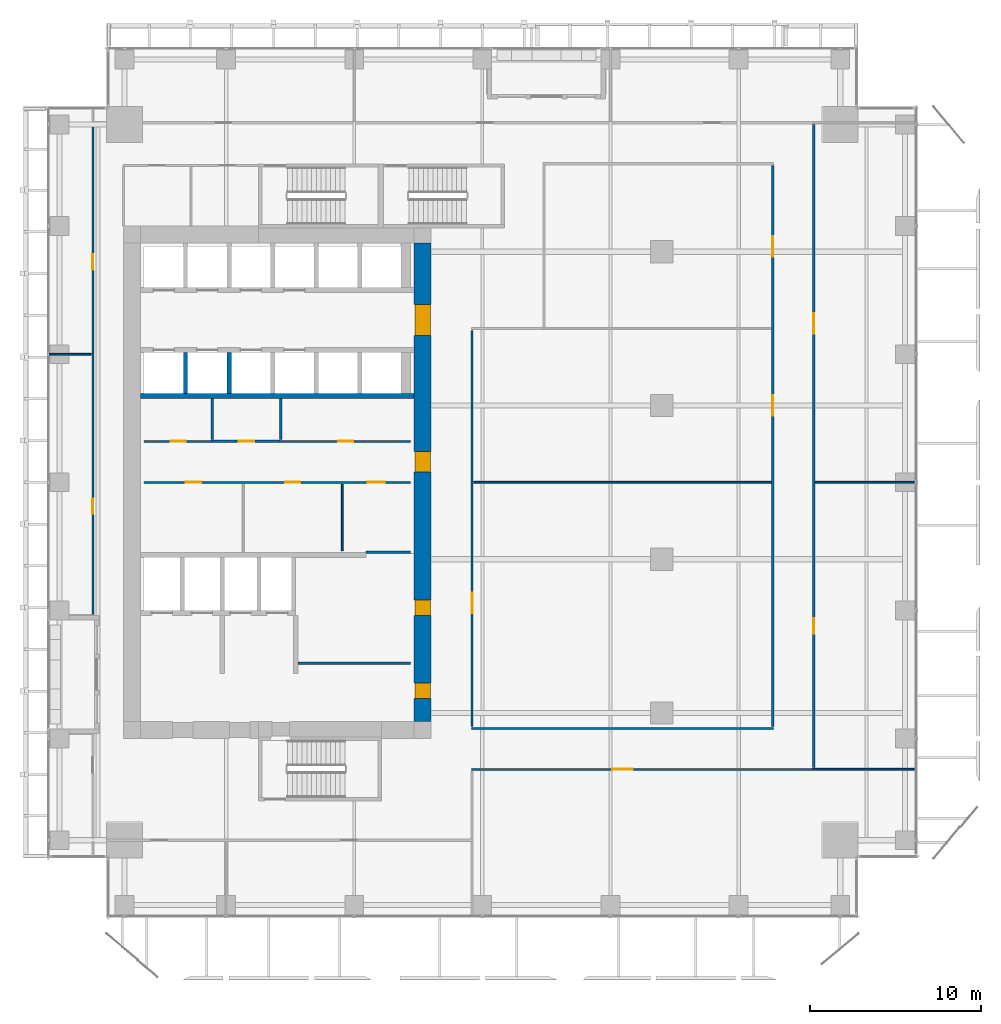
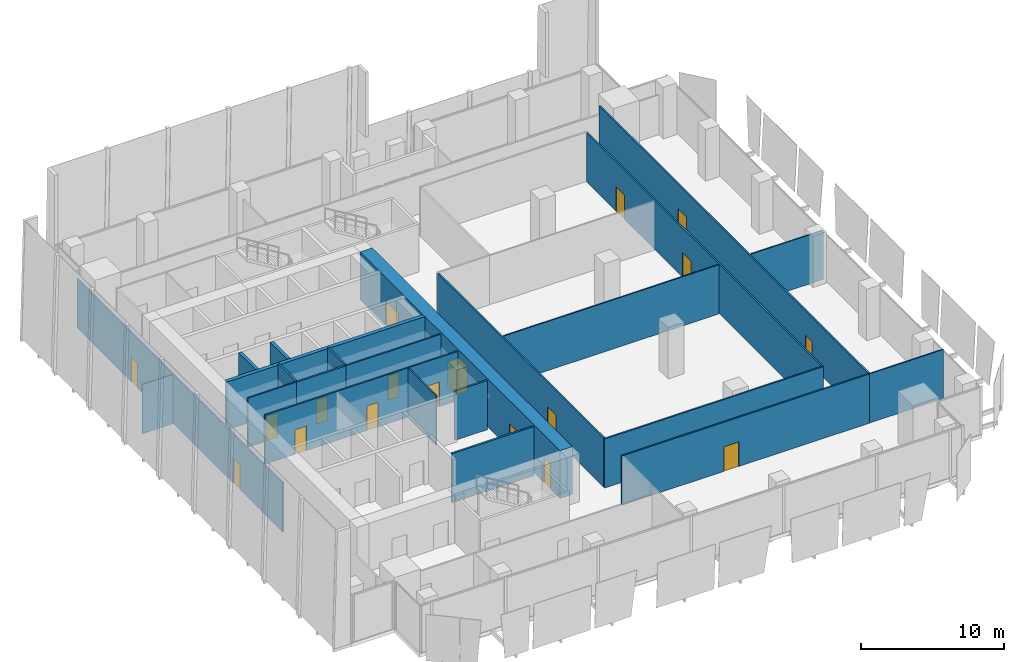
# One storey, part 29 of 34: 23 walls, 18 doors, 18 openings.
"""IFC4 building model written with IfcOpenShell, lengths in metres."""

from ifc_helpers import new_model, si_unit, direction, frame, frame_2d, origin, place, context, subcontext, project, spatial, rectangle, extrude, source, transform, mapped, material, layer, layer_set, type_object, element, fill, save


model = new_model("IFC4")

# Units and contexts
model_context = context("Model", 3, precision=1e-05, world=origin(), true_north=direction((0.0, 1.0)))
body_context = subcontext(model_context, "Body", "Model", "MODEL_VIEW")
ifc_project = project(units=[si_unit("LENGTHUNIT", "METRE"), si_unit("AREAUNIT", "SQUARE_METRE"), si_unit("VOLUMEUNIT", "CUBIC_METRE"), si_unit("PLANEANGLEUNIT", "RADIAN"), si_unit("MASSUNIT", "GRAM", prefix="KILO")], contexts=[model_context])

# Site, building, storey
site_placement = place(None, origin())
site = spatial("IfcSite", under=ifc_project, at=site_placement, CompositionType="ELEMENT")
building_placement = place(site_placement, origin())
building = spatial("IfcBuilding", under=site, at=building_placement, Name="Khomas Fold Tower", CompositionType="ELEMENT")
storey_placement = place(building_placement, frame((0.0, 0.0, 154.300048828125)))
storey = spatial("IfcBuildingStorey", under=building, at=storey_placement, Name="L33", CompositionType="ELEMENT", Elevation=154.300048828125)

# Wall, openings, doors
ifc_material_1 = material(Name="Concrete C70/85", Category="concrete")
ifc_layer_1 = layer(ifc_material_1, 1.0)
ifc_layer_set_1 = layer_set([ifc_layer_1], Name="Concrete C70/85")
wall_type_1 = type_object("IfcWallType", Name="Core wall 1000", PredefinedType="SHEAR", material=ifc_layer_set_1)
shared_shape_1 = source(origin(), body_context, "Body", "SweptSolid", [
    extrude(rectangle(XDim=28.0, YDim=1.0, at=frame_2d((14.0, 0.0))), origin(), (0.0, 0.0, 1.0), 4.099853515625),
])
wall_1_placement = place(storey_placement, frame((23.5, 13.0, 0.0), z_axis=(0.0, 0.0, 1.0), x_axis=(0.0, 1.0, 0.0)))
wall_1 = element("IfcWall", 1, at=wall_1_placement, inside=storey, type_object=wall_type_1, Name="Core wall CW-L-E-L21", PredefinedType="SHEAR", context=body_context, shape_type="MappedRepresentation", body=[
    mapped(shared_shape_1, transform((0.0, 0.0, 0.0))),
])
shared_shape_2 = source(origin(), body_context, "Body", "SweptSolid", [
    extrude(rectangle(XDim=1.800048828125, YDim=2.10009765625, at=frame_2d((0.89990234375, 1.050048828125))), frame((0.0, 0.510009765625, 0.0), z_axis=(0.0, -1.0, 0.0), x_axis=(1.0, 0.0, 0.0)), (0.0, 0.0, 1.0), 1.02001953125),
])
opening_1_placement = place(wall_1_placement, frame((22.60009765625, 0.0, 0.0)))
opening_1 = element("IfcOpeningElement", 2, at=opening_1_placement, cuts=wall_1, Name="Opening 0015", PredefinedType="OPENING", context=body_context, shape_type="MappedRepresentation", body=[
    mapped(shared_shape_2, transform((0.0, 0.0, 0.0))),
])
shared_shape_3 = source(origin(), body_context, "Body", "SweptSolid", [
    extrude(rectangle(XDim=1.199951171875, YDim=2.10009765625, at=frame_2d((0.60009765625, 1.050048828125))), frame((0.0, 0.510009765625, 0.0), z_axis=(0.0, -1.0, 0.0), x_axis=(1.0, 0.0, 0.0)), (0.0, 0.0, 1.0), 1.02001953125),
])
opening_2_placement = place(wall_1_placement, frame((14.60009765625, 0.0, 0.0)))
opening_2 = element("IfcOpeningElement", 3, at=opening_2_placement, cuts=wall_1, Name="Opening 0001", PredefinedType="OPENING", context=body_context, shape_type="MappedRepresentation", body=[
    mapped(shared_shape_3, transform((0.0, 0.0, 0.0))),
])
shared_shape_4 = source(origin(), body_context, "Body", "SweptSolid", [
    extrude(rectangle(XDim=0.89990234375, YDim=2.10009765625, at=frame_2d((0.449951171875, 1.050048828125))), frame((0.0, 0.510009765625, 0.0), z_axis=(0.0, -1.0, 0.0), x_axis=(1.0, 0.0, 0.0)), (0.0, 0.0, 1.0), 1.02001953125),
])
opening_3_placement = place(wall_1_placement, frame((1.35009765625, 0.0, 0.0)))
opening_3 = element("IfcOpeningElement", 4, at=opening_3_placement, cuts=wall_1, Name="Opening 0008", PredefinedType="OPENING", context=body_context, shape_type="MappedRepresentation", body=[
    mapped(shared_shape_4, transform((0.0, 0.0, 0.0))),
])
opening_4_placement = place(wall_1_placement, frame((6.199951171875, 0.0, 0.0)))
opening_4 = element("IfcOpeningElement", 5, at=opening_4_placement, cuts=wall_1, Name="Opening 0003", PredefinedType="OPENING", context=body_context, shape_type="MappedRepresentation", body=[
    mapped(shared_shape_4, transform((0.0, 0.0, 0.0))),
])
ifc_material_2 = material(Name="Steel door leaf", Category="steel")
door_type_1 = type_object("IfcDoorType", Name="Lobby door 1800x2100", OperationType="DOUBLE_DOOR_SINGLE_SWING", PredefinedType="DOOR", material=ifc_material_2)
shared_shape_5 = source(origin(), body_context, "Body", "SweptSolid", [
    extrude(rectangle(XDim=1.800048828125, YDim=2.10009765625, at=frame_2d((0.89990234375, 1.050048828125))), frame((0.0, 0.449951171875, 0.0), z_axis=(0.0, -1.0, 0.0), x_axis=(1.0, 0.0, 0.0)), (0.0, 0.0, 1.0), 0.89990234375),
])
door_1_placement = place(opening_1_placement, origin())
door_1 = element("IfcDoor", 6, at=door_1_placement, inside=storey, type_object=door_type_1, Name="Lobby door", OperationType="DOUBLE_DOOR_SINGLE_SWING", OverallHeight=2.10009765625, OverallWidth=1.800048828125, PredefinedType="DOOR", context=body_context, shape_type="MappedRepresentation", body=[
    mapped(shared_shape_5, transform((0.0, 0.0, 0.0))),
])
fill(opening_1, door_1)
ifc_material_3 = material(Name="Timber door leaf", Category="wood")
door_type_2 = type_object("IfcDoorType", Name="Door 1200x2100 right-hand", OperationType="SINGLE_SWING_RIGHT", PredefinedType="DOOR", material=ifc_material_3)
shared_shape_6 = source(origin(), body_context, "Body", "SweptSolid", [
    extrude(rectangle(XDim=1.199951171875, YDim=2.10009765625, at=frame_2d((0.60009765625, 1.050048828125))), frame((0.0, 0.449951171875, 0.0), z_axis=(0.0, -1.0, 0.0), x_axis=(1.0, 0.0, 0.0)), (0.0, 0.0, 1.0), 0.89990234375),
])
door_2_placement = place(opening_2_placement, origin())
door_2 = element("IfcDoor", 7, at=door_2_placement, inside=storey, type_object=door_type_2, Name="Door", OperationType="SINGLE_SWING_RIGHT", OverallHeight=2.10009765625, OverallWidth=1.199951171875, PredefinedType="DOOR", context=body_context, shape_type="MappedRepresentation", body=[
    mapped(shared_shape_6, transform((0.0, 0.0, 0.0))),
])
fill(opening_2, door_2)
ifc_material_4 = material(Name="Timber door leaf", Category="wood")
door_type_3 = type_object("IfcDoorType", Name="Door 900x2100 right-hand", OperationType="SINGLE_SWING_RIGHT", PredefinedType="DOOR", material=ifc_material_4)
shared_shape_7 = source(origin(), body_context, "Body", "SweptSolid", [
    extrude(rectangle(XDim=0.89990234375, YDim=2.10009765625, at=frame_2d((0.449951171875, 1.050048828125))), frame((0.0, 0.449951171875, 0.0), z_axis=(0.0, -1.0, 0.0), x_axis=(1.0, 0.0, 0.0)), (0.0, 0.0, 1.0), 0.89990234375),
])
door_3_placement = place(opening_3_placement, origin())
door_3 = element("IfcDoor", 8, at=door_3_placement, inside=storey, type_object=door_type_3, Name="Door", OperationType="SINGLE_SWING_RIGHT", OverallHeight=2.10009765625, OverallWidth=0.89990234375, PredefinedType="DOOR", context=body_context, shape_type="MappedRepresentation", body=[
    mapped(shared_shape_7, transform((0.0, 0.0, 0.0))),
])
fill(opening_3, door_3)
ifc_material_5 = material(Name="Steel door leaf", Category="steel")
door_type_4 = type_object("IfcDoorType", Name="Plant room door 900x2100 right-hand", OperationType="SINGLE_SWING_RIGHT", PredefinedType="DOOR", material=ifc_material_5)
door_4_placement = place(opening_4_placement, origin())
door_4 = element("IfcDoor", 9, at=door_4_placement, inside=storey, type_object=door_type_4, Name="Plant room door", OperationType="SINGLE_SWING_RIGHT", OverallHeight=2.10009765625, OverallWidth=0.89990234375, PredefinedType="DOOR", context=body_context, shape_type="MappedRepresentation", body=[
    mapped(shared_shape_7, transform((0.0, 0.0, 0.0))),
])
fill(opening_4, door_4)

# Walls
ifc_material_6 = material(Name="Concrete C50/60", Category="concrete")
ifc_layer_2 = layer(ifc_material_6, 0.300048828125)
ifc_layer_set_2 = layer_set([ifc_layer_2], Name="Concrete C50/60")
wall_type_2 = type_object("IfcWallType", Name="Shaft wall 300", PredefinedType="STANDARD", material=ifc_layer_set_2)
shared_shape_8 = source(origin(), body_context, "Body", "SweptSolid", [
    extrude(rectangle(XDim=16.0, YDim=0.300048828125, at=frame_2d((8.0, 0.0))), origin(), (0.0, 0.0, 1.0), 4.099853515625),
])
wall_2_placement = place(storey_placement, frame((7.0, 32.050048828125, 0.0), z_axis=(0.0, 0.0, 1.0), x_axis=(1.0, 0.0, 0.0)))
element("IfcWall", 10, at=wall_2_placement, inside=storey, type_object=wall_type_2, Name="Core wall SW-HRN-B", PredefinedType="STANDARD", context=body_context, shape_type="MappedRepresentation", body=[
    mapped(shared_shape_8, transform((0.0, 0.0, 0.0))),
])
ifc_material_7 = material(Name="Concrete C50/60", Category="concrete")
ifc_layer_3 = layer(ifc_material_7, 0.25)
ifc_layer_set_3 = layer_set([ifc_layer_3], Name="Concrete C50/60")
wall_type_3 = type_object("IfcWallType", Name="Shaft wall 250", PredefinedType="STANDARD", material=ifc_layer_set_3)
shared_shape_9 = source(origin(), body_context, "Body", "SweptSolid", [
    extrude(rectangle(XDim=2.400146484375, YDim=0.25, at=frame_2d((1.2001953125, 0.0))), origin(), (0.0, 0.0, 1.0), 4.099853515625),
])
for number, where, z_axis, x_axis, name in (
    (11, (9.625, 32.199951171875, 0.0), (0.0, 0.0, 1.0), (0.0, 1.0, 0.0), "Core wall SW-LRS-P1"),
    (12, (12.175048828125, 32.199951171875, 0.0), (0.0, 0.0, 1.0), (0.0, 1.0, 0.0), "Core wall SW-LRS-P2"),
):
    element("IfcWall", number, at=place(storey_placement, frame(where, z_axis=z_axis, x_axis=x_axis)), inside=storey, type_object=wall_type_3, Name=name, PredefinedType="STANDARD", context=body_context, shape_type="MappedRepresentation", body=[
        mapped(shared_shape_9, transform((0.0, 0.0, 0.0))),
    ])

# Wall, openings, doors
ifc_material_8 = material(Name="Plasterboard partition")
ifc_layer_4 = layer(ifc_material_8, 0.125)
ifc_layer_set_4 = layer_set([ifc_layer_4], Name="Plasterboard partition")
wall_type_4 = type_object("IfcWallType", Name="Partition PW2 125", PredefinedType="PARTITIONING", material=ifc_layer_set_4)
shared_shape_10 = source(origin(), body_context, "Body", "SweptSolid", [
    extrude(rectangle(XDim=15.60009765625, YDim=0.125, at=frame_2d((7.800048828125, 0.0))), origin(), (0.0, 0.0, 1.0), 4.199951171875),
])
wall_3_placement = place(storey_placement, frame((7.199951171875, 27.0, 0.0), z_axis=(0.0, 0.0, 1.0), x_axis=(1.0, 0.0, 0.0)))
wall_3 = element("IfcWall", 13, at=wall_3_placement, inside=storey, type_object=wall_type_4, Name="Partition", PredefinedType="PARTITIONING", context=body_context, shape_type="MappedRepresentation", body=[
    mapped(shared_shape_10, transform((0.0, 0.0, 0.0))),
])
shared_shape_11 = source(origin(), body_context, "Body", "SweptSolid", [
    extrude(rectangle(XDim=0.89990234375, YDim=2.10009765625, at=frame_2d((0.449951171875, 1.050048828125))), frame((0.0, 0.072509765625, 0.0), z_axis=(0.0, -1.0, 0.0), x_axis=(1.0, 0.0, 0.0)), (0.0, 0.0, 1.0), 0.14501953125),
])
opening_5_placement = place(wall_3_placement, frame((2.449951171875, 0.0, 0.0)))
opening_5 = element("IfcOpeningElement", 14, at=opening_5_placement, cuts=wall_3, Name="Opening 0005", PredefinedType="OPENING", context=body_context, shape_type="MappedRepresentation", body=[
    mapped(shared_shape_11, transform((0.0, 0.0, 0.0))),
])
opening_6_placement = place(wall_3_placement, frame((8.25, 0.0, 0.0)))
opening_6 = element("IfcOpeningElement", 15, at=opening_6_placement, cuts=wall_3, Name="Opening 0004", PredefinedType="OPENING", context=body_context, shape_type="MappedRepresentation", body=[
    mapped(shared_shape_11, transform((0.0, 0.0, 0.0))),
])
shared_shape_12 = source(origin(), body_context, "Body", "SweptSolid", [
    extrude(rectangle(XDim=1.0, YDim=2.10009765625, at=frame_2d((0.5, 1.050048828125))), frame((0.0, 0.072509765625, 0.0), z_axis=(0.0, -1.0, 0.0), x_axis=(1.0, 0.0, 0.0)), (0.0, 0.0, 1.0), 0.14501953125),
])
opening_7_placement = place(wall_3_placement, frame((13.10009765625, 0.0, 0.0)))
opening_7 = element("IfcOpeningElement", 16, at=opening_7_placement, cuts=wall_3, Name="Opening 0014", PredefinedType="OPENING", context=body_context, shape_type="MappedRepresentation", body=[
    mapped(shared_shape_12, transform((0.0, 0.0, 0.0))),
])
ifc_material_9 = material(Name="Timber door leaf", Category="wood")
door_type_5 = type_object("IfcDoorType", Name="WC door 900x2100 left-hand", OperationType="SINGLE_SWING_LEFT", PredefinedType="DOOR", material=ifc_material_9)
shared_shape_13 = source(origin(), body_context, "Body", "SweptSolid", [
    extrude(rectangle(XDim=0.89990234375, YDim=2.10009765625, at=frame_2d((0.449951171875, 1.050048828125))), frame((0.0, 0.02490234375, 0.0), z_axis=(0.0, -1.0, 0.0), x_axis=(1.0, 0.0, 0.0)), (0.0, 0.0, 1.0), 0.050048828125),
])
door_5_placement = place(opening_5_placement, origin())
door_5 = element("IfcDoor", 17, at=door_5_placement, inside=storey, type_object=door_type_5, Name="WC door", OperationType="SINGLE_SWING_LEFT", OverallHeight=2.10009765625, OverallWidth=0.89990234375, PredefinedType="DOOR", context=body_context, shape_type="MappedRepresentation", body=[
    mapped(shared_shape_13, transform((0.0, 0.0, 0.0))),
])
fill(opening_5, door_5)
ifc_material_10 = material(Name="Timber door leaf", Category="wood")
door_type_6 = type_object("IfcDoorType", Name="WC door 900x2100 right-hand", OperationType="SINGLE_SWING_RIGHT", PredefinedType="DOOR", material=ifc_material_10)
door_6_placement = place(opening_6_placement, origin())
door_6 = element("IfcDoor", 18, at=door_6_placement, inside=storey, type_object=door_type_6, Name="WC door", OperationType="SINGLE_SWING_RIGHT", OverallHeight=2.10009765625, OverallWidth=0.89990234375, PredefinedType="DOOR", context=body_context, shape_type="MappedRepresentation", body=[
    mapped(shared_shape_13, transform((0.0, 0.0, 0.0))),
])
fill(opening_6, door_6)
ifc_material_11 = material(Name="Timber door leaf", Category="wood")
door_type_7 = type_object("IfcDoorType", Name="WC door 1000x2100 left-hand", OperationType="SINGLE_SWING_LEFT", PredefinedType="DOOR", material=ifc_material_11)
shared_shape_14 = source(origin(), body_context, "Body", "SweptSolid", [
    extrude(rectangle(XDim=1.0, YDim=2.10009765625, at=frame_2d((0.5, 1.050048828125))), frame((0.0, 0.02490234375, 0.0), z_axis=(0.0, -1.0, 0.0), x_axis=(1.0, 0.0, 0.0)), (0.0, 0.0, 1.0), 0.050048828125),
])
door_7_placement = place(opening_7_placement, origin())
door_7 = element("IfcDoor", 19, at=door_7_placement, inside=storey, type_object=door_type_7, Name="WC door", OperationType="SINGLE_SWING_LEFT", OverallHeight=2.10009765625, OverallWidth=1.0, PredefinedType="DOOR", context=body_context, shape_type="MappedRepresentation", body=[
    mapped(shared_shape_14, transform((0.0, 0.0, 0.0))),
])
fill(opening_7, door_7)

# Wall, opening, door
shared_shape_15 = source(origin(), body_context, "Body", "SweptSolid", [
    extrude(rectangle(XDim=20.0, YDim=0.125, at=frame_2d((10.0, 0.0))), origin(), (0.0, 0.0, 1.0), 4.199951171875),
])
wall_4_placement = place(storey_placement, frame((26.35009765625, 10.199951171875, 0.0), z_axis=(0.0, 0.0, 1.0), x_axis=(1.0, 0.0, 0.0)))
wall_4 = element("IfcWall", 20, at=wall_4_placement, inside=storey, type_object=wall_type_4, Name="Partition", PredefinedType="PARTITIONING", context=body_context, shape_type="MappedRepresentation", body=[
    mapped(shared_shape_15, transform((0.0, 0.0, 0.0))),
])
shared_shape_16 = source(origin(), body_context, "Body", "SweptSolid", [
    extrude(rectangle(XDim=1.199951171875, YDim=2.10009765625, at=frame_2d((0.60009765625, 1.050048828125))), frame((0.0, 0.072509765625, 0.0), z_axis=(0.0, -1.0, 0.0), x_axis=(1.0, 0.0, 0.0)), (0.0, 0.0, 1.0), 0.14501953125),
])
opening_8_placement = place(wall_4_placement, frame((8.25, 0.0, 0.0)))
opening_8 = element("IfcOpeningElement", 21, at=opening_8_placement, cuts=wall_4, Name="Opening 0013", PredefinedType="OPENING", context=body_context, shape_type="MappedRepresentation", body=[
    mapped(shared_shape_16, transform((0.0, 0.0, 0.0))),
])
ifc_material_12 = material(Name="Timber door leaf", Category="wood")
door_type_8 = type_object("IfcDoorType", Name="Door 1200x2100 left-hand", OperationType="SINGLE_SWING_LEFT", PredefinedType="DOOR", material=ifc_material_12)
shared_shape_17 = source(origin(), body_context, "Body", "SweptSolid", [
    extrude(rectangle(XDim=1.199951171875, YDim=2.10009765625, at=frame_2d((0.60009765625, 1.050048828125))), frame((0.0, 0.02490234375, 0.0), z_axis=(0.0, -1.0, 0.0), x_axis=(1.0, 0.0, 0.0)), (0.0, 0.0, 1.0), 0.050048828125),
])
door_8_placement = place(opening_8_placement, origin())
door_8 = element("IfcDoor", 22, at=door_8_placement, inside=storey, type_object=door_type_8, Name="Door", OperationType="SINGLE_SWING_LEFT", OverallHeight=2.10009765625, OverallWidth=1.199951171875, PredefinedType="DOOR", context=body_context, shape_type="MappedRepresentation", body=[
    mapped(shared_shape_17, transform((0.0, 0.0, 0.0))),
])
fill(opening_8, door_8)

# Wall
ifc_material_13 = material(Name="Plasterboard partition")
ifc_layer_5 = layer(ifc_material_13, 0.10009765625)
ifc_layer_set_5 = layer_set([ifc_layer_5], Name="Plasterboard partition")
wall_type_5 = type_object("IfcWallType", Name="Partition PW1 100", PredefinedType="PARTITIONING", material=ifc_layer_set_5)
shared_shape_18 = source(origin(), body_context, "Body", "SweptSolid", [
    extrude(rectangle(XDim=6.0, YDim=0.10009765625, at=frame_2d((3.0, 0.0))), origin(), (0.0, 0.0, 1.0), 4.199951171875),
])
wall_5_placement = place(storey_placement, frame((46.35009765625, 10.199951171875, 0.0), z_axis=(0.0, 0.0, 1.0), x_axis=(1.0, 0.0, 0.0)))
element("IfcWall", 23, at=wall_5_placement, inside=storey, type_object=wall_type_5, Name="Partition", PredefinedType="PARTITIONING", context=body_context, shape_type="MappedRepresentation", body=[
    mapped(shared_shape_18, transform((0.0, 0.0, 0.0))),
])

# Wall, openings, doors
shared_shape_19 = source(origin(), body_context, "Body", "SweptSolid", [
    extrude(rectangle(XDim=37.64990234375, YDim=0.125, at=frame_2d((18.824951171875, 0.0))), origin(), (0.0, 0.0, 1.0), 4.199951171875),
])
wall_6_placement = place(storey_placement, frame((46.39990234375, 10.300048828125, 0.0), z_axis=(0.0, 0.0, 1.0), x_axis=(0.0, 1.0, 0.0)))
wall_6 = element("IfcWall", 24, at=wall_6_placement, inside=storey, type_object=wall_type_4, Name="Partition", PredefinedType="PARTITIONING", context=body_context, shape_type="MappedRepresentation", body=[
    mapped(shared_shape_19, transform((0.0, 0.0, 0.0))),
])
opening_9_placement = place(wall_6_placement, frame((7.85009765625, 0.0, 0.0)))
opening_9 = element("IfcOpeningElement", 25, at=opening_9_placement, cuts=wall_6, Name="Opening 0007", PredefinedType="OPENING", context=body_context, shape_type="MappedRepresentation", body=[
    mapped(shared_shape_11, transform((0.0, 0.0, 0.0))),
])
opening_10_placement = place(wall_6_placement, frame((25.39990234375, 0.0, 0.0)))
opening_10 = element("IfcOpeningElement", 26, at=opening_10_placement, cuts=wall_6, Name="Opening 0013", PredefinedType="OPENING", context=body_context, shape_type="MappedRepresentation", body=[
    mapped(shared_shape_16, transform((0.0, 0.0, 0.0))),
])
ifc_material_14 = material(Name="Timber door leaf", Category="wood")
door_type_9 = type_object("IfcDoorType", Name="Door 900x2100 left-hand", OperationType="SINGLE_SWING_LEFT", PredefinedType="DOOR", material=ifc_material_14)
door_9_placement = place(opening_9_placement, origin())
door_9 = element("IfcDoor", 27, at=door_9_placement, inside=storey, type_object=door_type_9, Name="Door", OperationType="SINGLE_SWING_LEFT", OverallHeight=2.10009765625, OverallWidth=0.89990234375, PredefinedType="DOOR", context=body_context, shape_type="MappedRepresentation", body=[
    mapped(shared_shape_13, transform((0.0, 0.0, 0.0))),
])
fill(opening_9, door_9)
door_10_placement = place(opening_10_placement, origin())
door_10 = element("IfcDoor", 28, at=door_10_placement, inside=storey, type_object=door_type_8, Name="Door", OperationType="SINGLE_SWING_LEFT", OverallHeight=2.10009765625, OverallWidth=1.199951171875, PredefinedType="DOOR", context=body_context, shape_type="MappedRepresentation", body=[
    mapped(shared_shape_17, transform((0.0, 0.0, 0.0))),
])
fill(opening_10, door_10)

# Wall
shared_shape_20 = source(origin(), body_context, "Body", "SweptSolid", [
    extrude(rectangle(XDim=17.699951171875, YDim=0.125, at=frame_2d((8.85009765625, 0.0))), origin(), (0.0, 0.0, 1.0), 4.199951171875),
])
wall_7_placement = place(storey_placement, frame((26.35009765625, 12.60009765625, 0.0), z_axis=(0.0, 0.0, 1.0), x_axis=(1.0, 0.0, 0.0)))
element("IfcWall", 29, at=wall_7_placement, inside=storey, type_object=wall_type_4, Name="Partition", PredefinedType="PARTITIONING", context=body_context, shape_type="MappedRepresentation", body=[
    mapped(shared_shape_20, transform((0.0, 0.0, 0.0))),
])

# Wall, opening, door
shared_shape_21 = source(origin(), body_context, "Body", "SweptSolid", [
    extrude(rectangle(XDim=23.199951171875, YDim=0.125, at=frame_2d((11.60009765625, 0.0))), origin(), (0.0, 0.0, 1.0), 4.199951171875),
])
wall_8_placement = place(storey_placement, frame((26.39990234375, 12.699951171875, 0.0), z_axis=(0.0, 0.0, 1.0), x_axis=(0.0, 1.0, 0.0)))
wall_8 = element("IfcWall", 30, at=wall_8_placement, inside=storey, type_object=wall_type_4, Name="Partition", PredefinedType="PARTITIONING", context=body_context, shape_type="MappedRepresentation", body=[
    mapped(shared_shape_21, transform((0.0, 0.0, 0.0))),
])
opening_11_placement = place(wall_8_placement, frame((6.64990234375, 0.0, 0.0)))
opening_11 = element("IfcOpeningElement", 31, at=opening_11_placement, cuts=wall_8, Name="Opening 0001", PredefinedType="OPENING", context=body_context, shape_type="MappedRepresentation", body=[
    mapped(shared_shape_16, transform((0.0, 0.0, 0.0))),
])
door_11_placement = place(opening_11_placement, origin())
door_11 = element("IfcDoor", 32, at=door_11_placement, inside=storey, type_object=door_type_2, Name="Door", OperationType="SINGLE_SWING_RIGHT", OverallHeight=2.10009765625, OverallWidth=1.199951171875, PredefinedType="DOOR", context=body_context, shape_type="MappedRepresentation", body=[
    mapped(shared_shape_17, transform((0.0, 0.0, 0.0))),
])
fill(opening_11, door_11)

# Wall, openings, doors
shared_shape_22 = source(origin(), body_context, "Body", "SweptSolid", [
    extrude(rectangle(XDim=32.85009765625, YDim=0.125, at=frame_2d((16.425048828125, 0.0))), origin(), (0.0, 0.0, 1.0), 4.199951171875),
])
wall_9_placement = place(storey_placement, frame((44.0, 12.699951171875, 0.0), z_axis=(0.0, 0.0, 1.0), x_axis=(0.0, 1.0, 0.0)))
wall_9 = element("IfcWall", 33, at=wall_9_placement, inside=storey, type_object=wall_type_4, Name="Partition", PredefinedType="PARTITIONING", context=body_context, shape_type="MappedRepresentation", body=[
    mapped(shared_shape_22, transform((0.0, 0.0, 0.0))),
])
opening_12_placement = place(wall_9_placement, frame((18.199951171875, 0.0, 0.0)))
opening_12 = element("IfcOpeningElement", 34, at=opening_12_placement, cuts=wall_9, Name="Opening 0013", PredefinedType="OPENING", context=body_context, shape_type="MappedRepresentation", body=[
    mapped(shared_shape_16, transform((0.0, 0.0, 0.0))),
])
opening_13_placement = place(wall_9_placement, frame((27.5, 0.0, 0.0)))
opening_13 = element("IfcOpeningElement", 35, at=opening_13_placement, cuts=wall_9, Name="Opening 0001", PredefinedType="OPENING", context=body_context, shape_type="MappedRepresentation", body=[
    mapped(shared_shape_16, transform((0.0, 0.0, 0.0))),
])
door_12_placement = place(opening_12_placement, origin())
door_12 = element("IfcDoor", 36, at=door_12_placement, inside=storey, type_object=door_type_8, Name="Door", OperationType="SINGLE_SWING_LEFT", OverallHeight=2.10009765625, OverallWidth=1.199951171875, PredefinedType="DOOR", context=body_context, shape_type="MappedRepresentation", body=[
    mapped(shared_shape_17, transform((0.0, 0.0, 0.0))),
])
fill(opening_12, door_12)
door_13_placement = place(opening_13_placement, origin())
door_13 = element("IfcDoor", 37, at=door_13_placement, inside=storey, type_object=door_type_2, Name="Door", OperationType="SINGLE_SWING_RIGHT", OverallHeight=2.10009765625, OverallWidth=1.199951171875, PredefinedType="DOOR", context=body_context, shape_type="MappedRepresentation", body=[
    mapped(shared_shape_17, transform((0.0, 0.0, 0.0))),
])
fill(opening_13, door_13)

# Walls
ifc_material_15 = material(Name="Plasterboard fire partition")
ifc_layer_6 = layer(ifc_material_15, 0.14990234375)
ifc_layer_set_6 = layer_set([ifc_layer_6], Name="Plasterboard fire partition")
wall_type_6 = type_object("IfcWallType", Name="Plant room wall PW3 150", PredefinedType="PARTITIONING", material=ifc_layer_set_6)
shared_shape_23 = source(origin(), body_context, "Body", "SweptSolid", [
    extrude(rectangle(XDim=6.60009765625, YDim=0.14990234375, at=frame_2d((3.300048828125, 0.0))), origin(), (0.0, 0.0, 1.0), 4.199951171875),
])
wall_10_placement = place(storey_placement, frame((16.199951171875, 16.39990234375, 0.0), z_axis=(0.0, 0.0, 1.0), x_axis=(1.0, 0.0, 0.0)))
element("IfcWall", 38, at=wall_10_placement, inside=storey, type_object=wall_type_6, Name="Plant room wall", PredefinedType="PARTITIONING", context=body_context, shape_type="MappedRepresentation", body=[
    mapped(shared_shape_23, transform((0.0, 0.0, 0.0))),
])
shared_shape_24 = source(origin(), body_context, "Body", "SweptSolid", [
    extrude(rectangle(XDim=17.39990234375, YDim=0.10009765625, at=frame_2d((8.699951171875, 0.0))), origin(), (0.0, 0.0, 1.0), 4.199951171875),
])
wall_11_placement = place(storey_placement, frame((26.5, 27.0, 0.0), z_axis=(0.0, 0.0, 1.0), x_axis=(1.0, 0.0, 0.0)))
element("IfcWall", 39, at=wall_11_placement, inside=storey, type_object=wall_type_5, Name="Partition", PredefinedType="PARTITIONING", context=body_context, shape_type="MappedRepresentation", body=[
    mapped(shared_shape_24, transform((0.0, 0.0, 0.0))),
])
shared_shape_25 = source(origin(), body_context, "Body", "SweptSolid", [
    extrude(rectangle(XDim=2.4501953125, YDim=0.10009765625, at=frame_2d((1.22509765625, 0.0))), origin(), (0.0, 0.0, 1.0), 4.199951171875),
])
wall_12_placement = place(storey_placement, frame((1.64990234375, 34.5, 0.0), z_axis=(0.0, 0.0, 1.0), x_axis=(1.0, 0.0, 0.0)))
element("IfcWall", 40, at=wall_12_placement, inside=storey, type_object=wall_type_5, Name="Partition", PredefinedType="PARTITIONING", context=body_context, shape_type="MappedRepresentation", body=[
    mapped(shared_shape_25, transform((0.0, 0.0, 0.0))),
])
shared_shape_26 = source(origin(), body_context, "Body", "SweptSolid", [
    extrude(rectangle(XDim=2.60009765625, YDim=0.14990234375, at=frame_2d((1.300048828125, 0.0))), origin(), (0.0, 0.0, 1.0), 4.199951171875),
])
wall_13_placement = place(storey_placement, frame((20.199951171875, 22.89990234375, 0.0), z_axis=(0.0, 0.0, 1.0), x_axis=(1.0, 0.0, 0.0)))
element("IfcWall", 41, at=wall_13_placement, inside=storey, type_object=wall_type_6, Name="Plant room wall", PredefinedType="PARTITIONING", context=body_context, shape_type="MappedRepresentation", body=[
    mapped(shared_shape_26, transform((0.0, 0.0, 0.0))),
])
shared_shape_27 = source(origin(), body_context, "Body", "SweptSolid", [
    extrude(rectangle(XDim=5.85009765625, YDim=0.10009765625, at=frame_2d((2.925048828125, 0.0))), origin(), (0.0, 0.0, 1.0), 4.199951171875),
])
wall_14_placement = place(storey_placement, frame((46.5, 27.0, 0.0), z_axis=(0.0, 0.0, 1.0), x_axis=(1.0, 0.0, 0.0)))
element("IfcWall", 42, at=wall_14_placement, inside=storey, type_object=wall_type_5, Name="Partition", PredefinedType="PARTITIONING", context=body_context, shape_type="MappedRepresentation", body=[
    mapped(shared_shape_27, transform((0.0, 0.0, 0.0))),
])

# Wall, openings, doors
shared_shape_28 = source(origin(), body_context, "Body", "SweptSolid", [
    extrude(rectangle(XDim=28.75, YDim=0.125, at=frame_2d((14.375, 0.0))), origin(), (0.0, 0.0, 1.0), 4.199951171875),
])
wall_15_placement = place(storey_placement, frame((4.199951171875, 19.199951171875, 0.0), z_axis=(0.0, 0.0, 1.0), x_axis=(0.0, 1.0, 0.0)))
wall_15 = element("IfcWall", 43, at=wall_15_placement, inside=storey, type_object=wall_type_4, Name="Partition", PredefinedType="PARTITIONING", context=body_context, shape_type="MappedRepresentation", body=[
    mapped(shared_shape_28, transform((0.0, 0.0, 0.0))),
])
opening_14_placement = place(wall_15_placement, frame((5.949951171875, 0.0, 0.0)))
opening_14 = element("IfcOpeningElement", 44, at=opening_14_placement, cuts=wall_15, Name="Opening 0008", PredefinedType="OPENING", context=body_context, shape_type="MappedRepresentation", body=[
    mapped(shared_shape_11, transform((0.0, 0.0, 0.0))),
])
opening_15_placement = place(wall_15_placement, frame((20.25, 0.0, 0.0)))
opening_15 = element("IfcOpeningElement", 45, at=opening_15_placement, cuts=wall_15, Name="Opening 0008", PredefinedType="OPENING", context=body_context, shape_type="MappedRepresentation", body=[
    mapped(shared_shape_11, transform((0.0, 0.0, 0.0))),
])
door_14_placement = place(opening_14_placement, origin())
door_14 = element("IfcDoor", 46, at=door_14_placement, inside=storey, type_object=door_type_3, Name="Door", OperationType="SINGLE_SWING_RIGHT", OverallHeight=2.10009765625, OverallWidth=0.89990234375, PredefinedType="DOOR", context=body_context, shape_type="MappedRepresentation", body=[
    mapped(shared_shape_13, transform((0.0, 0.0, 0.0))),
])
fill(opening_14, door_14)
door_15_placement = place(opening_15_placement, origin())
door_15 = element("IfcDoor", 47, at=door_15_placement, inside=storey, type_object=door_type_3, Name="Door", OperationType="SINGLE_SWING_RIGHT", OverallHeight=2.10009765625, OverallWidth=0.89990234375, PredefinedType="DOOR", context=body_context, shape_type="MappedRepresentation", body=[
    mapped(shared_shape_13, transform((0.0, 0.0, 0.0))),
])
fill(opening_15, door_15)

# Wall
shared_shape_29 = source(origin(), body_context, "Body", "SweptSolid", [
    extrude(rectangle(XDim=3.89990234375, YDim=0.10009765625, at=frame_2d((1.949951171875, 0.0))), origin(), (0.0, 0.0, 1.0), 4.199951171875),
])
wall_16_placement = place(storey_placement, frame((18.800048828125, 23.0, 0.0), z_axis=(0.0, 0.0, 1.0), x_axis=(0.0, 1.0, 0.0)))
element("IfcWall", 48, at=wall_16_placement, inside=storey, type_object=wall_type_5, Name="Partition", PredefinedType="PARTITIONING", context=body_context, shape_type="MappedRepresentation", body=[
    mapped(shared_shape_29, transform((0.0, 0.0, 0.0))),
])

# Wall, opening, door
shared_shape_30 = source(origin(), body_context, "Body", "SweptSolid", [
    extrude(rectangle(XDim=3.949951171875, YDim=0.125, at=frame_2d((1.97509765625, 0.0))), origin(), (0.0, 0.0, 1.0), 4.199951171875),
])
wall_17_placement = place(storey_placement, frame((7.199951171875, 29.39990234375, 0.0), z_axis=(0.0, 0.0, 1.0), x_axis=(1.0, 0.0, 0.0)))
wall_17 = element("IfcWall", 49, at=wall_17_placement, inside=storey, type_object=wall_type_4, Name="Partition", PredefinedType="PARTITIONING", context=body_context, shape_type="MappedRepresentation", body=[
    mapped(shared_shape_30, transform((0.0, 0.0, 0.0))),
])
opening_16_placement = place(wall_17_placement, frame((1.550048828125, 0.0, 0.0)))
opening_16 = element("IfcOpeningElement", 50, at=opening_16_placement, cuts=wall_17, Name="Opening 0007", PredefinedType="OPENING", context=body_context, shape_type="MappedRepresentation", body=[
    mapped(shared_shape_11, transform((0.0, 0.0, 0.0))),
])
door_16_placement = place(opening_16_placement, origin())
door_16 = element("IfcDoor", 51, at=door_16_placement, inside=storey, type_object=door_type_9, Name="Door", OperationType="SINGLE_SWING_LEFT", OverallHeight=2.10009765625, OverallWidth=0.89990234375, PredefinedType="DOOR", context=body_context, shape_type="MappedRepresentation", body=[
    mapped(shared_shape_13, transform((0.0, 0.0, 0.0))),
])
fill(opening_16, door_16)

shared_shape_31 = source(origin(), body_context, "Body", "SweptSolid", [
    extrude(rectangle(XDim=4.0, YDim=0.14990234375, at=frame_2d((2.0, 0.0))), origin(), (0.0, 0.0, 1.0), 4.199951171875),
])
wall_18_placement = place(storey_placement, frame((11.14990234375, 29.39990234375, 0.0), z_axis=(0.0, 0.0, 1.0), x_axis=(1.0, 0.0, 0.0)))
wall_18 = element("IfcWall", 52, at=wall_18_placement, inside=storey, type_object=wall_type_6, Name="Plant room wall", PredefinedType="PARTITIONING", context=body_context, shape_type="MappedRepresentation", body=[
    mapped(shared_shape_31, transform((0.0, 0.0, 0.0))),
])
shared_shape_32 = source(origin(), body_context, "Body", "SweptSolid", [
    extrude(rectangle(XDim=0.89990234375, YDim=2.10009765625, at=frame_2d((0.449951171875, 1.050048828125))), frame((0.0, 0.0849609375, 0.0), z_axis=(0.0, -1.0, 0.0), x_axis=(1.0, 0.0, 0.0)), (0.0, 0.0, 1.0), 0.169921875),
])
opening_17_placement = place(wall_18_placement, frame((1.60009765625, 0.0, 0.0)))
opening_17 = element("IfcOpeningElement", 53, at=opening_17_placement, cuts=wall_18, Name="Opening 0003", PredefinedType="OPENING", context=body_context, shape_type="MappedRepresentation", body=[
    mapped(shared_shape_32, transform((0.0, 0.0, 0.0))),
])
door_17_placement = place(opening_17_placement, origin())
door_17 = element("IfcDoor", 54, at=door_17_placement, inside=storey, type_object=door_type_4, Name="Plant room door", OperationType="SINGLE_SWING_RIGHT", OverallHeight=2.10009765625, OverallWidth=0.89990234375, PredefinedType="DOOR", context=body_context, shape_type="MappedRepresentation", body=[
    mapped(shared_shape_13, transform((0.0, 0.0, 0.0))),
])
fill(opening_17, door_17)

shared_shape_33 = source(origin(), body_context, "Body", "SweptSolid", [
    extrude(rectangle(XDim=7.650146484375, YDim=0.125, at=frame_2d((3.8251953125, 0.0))), origin(), (0.0, 0.0, 1.0), 4.199951171875),
])
wall_19_placement = place(storey_placement, frame((15.14990234375, 29.39990234375, 0.0), z_axis=(0.0, 0.0, 1.0), x_axis=(1.0, 0.0, 0.0)))
wall_19 = element("IfcWall", 55, at=wall_19_placement, inside=storey, type_object=wall_type_4, Name="Partition", PredefinedType="PARTITIONING", context=body_context, shape_type="MappedRepresentation", body=[
    mapped(shared_shape_33, transform((0.0, 0.0, 0.0))),
])
opening_18_placement = place(wall_19_placement, frame((3.39990234375, 0.0, 0.0)))
opening_18 = element("IfcOpeningElement", 56, at=opening_18_placement, cuts=wall_19, Name="Opening 0007", PredefinedType="OPENING", context=body_context, shape_type="MappedRepresentation", body=[
    mapped(shared_shape_11, transform((0.0, 0.0, 0.0))),
])
door_18_placement = place(opening_18_placement, origin())
door_18 = element("IfcDoor", 57, at=door_18_placement, inside=storey, type_object=door_type_9, Name="Door", OperationType="SINGLE_SWING_LEFT", OverallHeight=2.10009765625, OverallWidth=0.89990234375, PredefinedType="DOOR", context=body_context, shape_type="MappedRepresentation", body=[
    mapped(shared_shape_13, transform((0.0, 0.0, 0.0))),
])
fill(opening_18, door_18)

# Walls
shared_shape_34 = source(origin(), body_context, "Body", "SweptSolid", [
    extrude(rectangle(XDim=2.39990234375, YDim=0.14990234375, at=frame_2d((1.199951171875, 0.0))), origin(), (0.0, 0.0, 1.0), 4.199951171875),
])
for number, where, z_axis, x_axis, name in (
    (58, (11.199951171875, 29.5, 0.0), (0.0, 0.0, 1.0), (0.0, 1.0, 0.0), "Plant room wall"),
    (59, (15.199951171875, 29.5, 0.0), (0.0, 0.0, 1.0), (0.0, 1.0, 0.0), "Plant room wall"),
):
    element("IfcWall", number, at=place(storey_placement, frame(where, z_axis=z_axis, x_axis=x_axis)), inside=storey, type_object=wall_type_6, Name=name, PredefinedType="PARTITIONING", context=body_context, shape_type="MappedRepresentation", body=[
        mapped(shared_shape_34, transform((0.0, 0.0, 0.0))),
    ])

save(model, "model.ifc")
